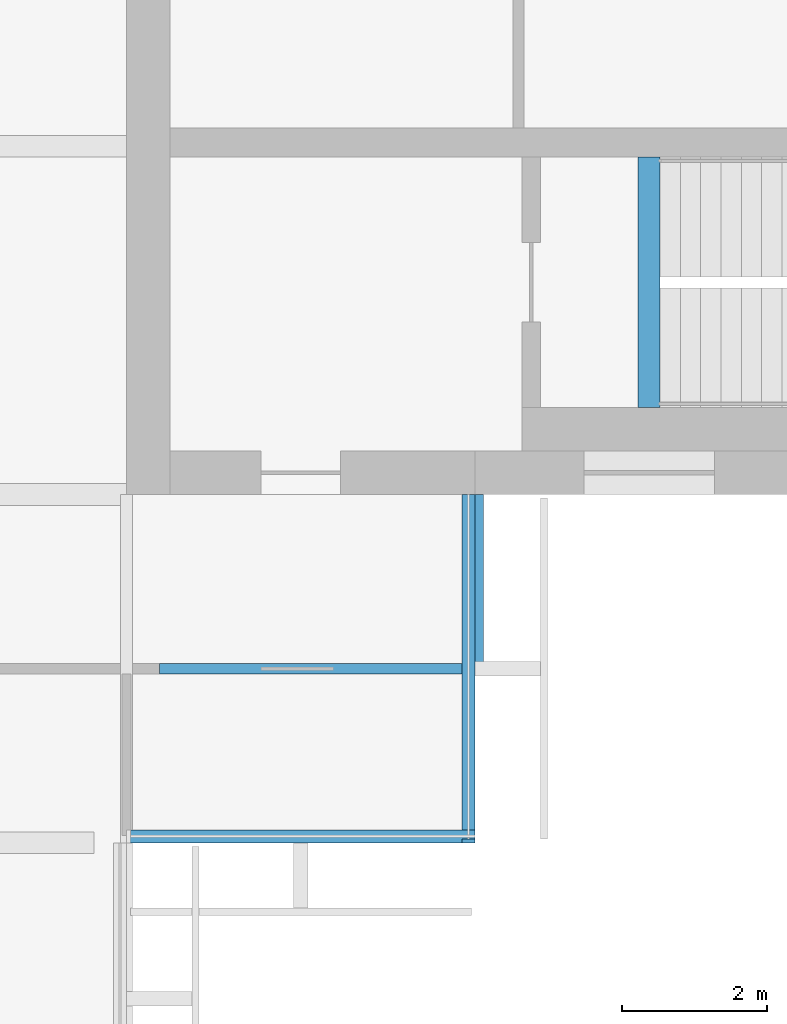
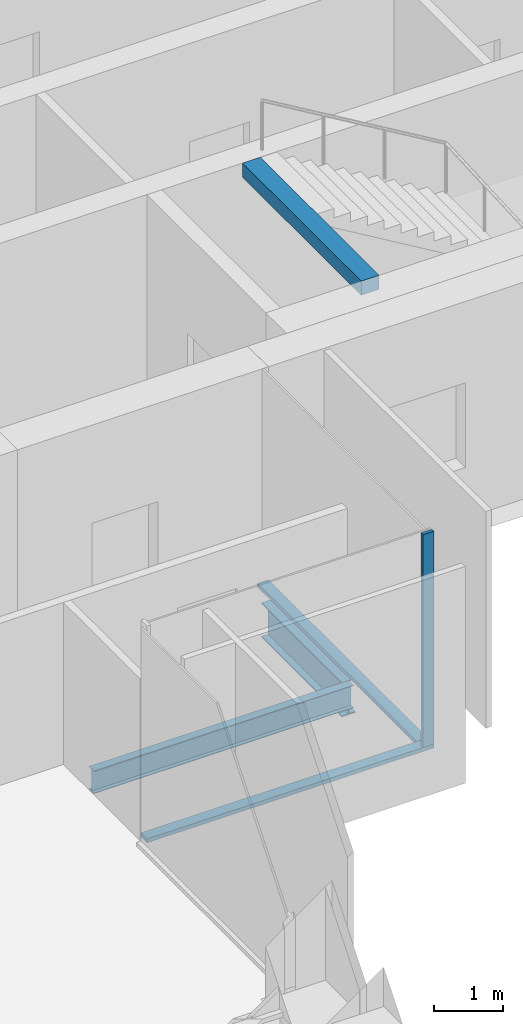
# One storey, part 4 of 12: 3 beams, 3 members, 2 elements without a shape of their own.
"""IFC4 building model written with IfcOpenShell, lengths in metres."""

from ifc_helpers import new_model, si_unit, direction, frame, origin, origin_2d, place, context, subcontext, project, spatial, rectangle, i_section, extrude, material, material_profile, profile_set, type_object, element, aggregate, save


model = new_model("IFC4")

# Units and contexts
model_context = context("Model", 3, precision=1e-05, world=origin(), true_north=direction((0.0, 1.0)))
body_context = subcontext(model_context, "Body", "Model", "MODEL_VIEW")
ifc_project = project(units=[si_unit("LENGTHUNIT", "METRE"), si_unit("AREAUNIT", "SQUARE_METRE"), si_unit("VOLUMEUNIT", "CUBIC_METRE"), si_unit("PLANEANGLEUNIT", "RADIAN"), si_unit("MASSUNIT", "GRAM", prefix="KILO")], contexts=[model_context])

# Site, building, storey
site_placement = place(None, origin())
site = spatial("IfcSite", under=ifc_project, at=site_placement, CompositionType="ELEMENT")
building_placement = place(site_placement, origin())
building = spatial("IfcBuilding", under=site, at=building_placement, Name="Baori Bourse Tower", CompositionType="ELEMENT")
storey_placement = place(building_placement, frame((0.0, 0.0, 282.300048828125)))
storey = spatial("IfcBuildingStorey", under=building, at=storey_placement, Name="L61", CompositionType="ELEMENT", Elevation=282.300048828125)

# Curtain wall, member
ifc_material_1 = material(Name="Pale anodised aluminium", Category="aluminium")
curtain_wall_type = type_object("IfcCurtainWallType", Name="CW2 Curtain wall", PredefinedType="NOTDEFINED", material=ifc_material_1)
curtain_wall_1_placement = place(storey_placement, origin())
curtain_wall_1 = element("IfcCurtainWall", 1, at=curtain_wall_1_placement, inside=storey, type_object=curtain_wall_type, Name="Curtain wall CW2 L61 14", PredefinedType="NOTDEFINED")
ifc_material_2 = material(Name="Pale anodised aluminium", Category="aluminium")
ifc_material_profile_1 = material_profile(ifc_material_2, rectangle(XDim=0.179931640625, YDim=0.054931640625, at=origin_2d()), Name="Mullion 55x180")
ifc_profile_set_1 = profile_set([ifc_material_profile_1], Name="Pale anodised aluminium")
member_type_1 = type_object("IfcMemberType", Name="CW2 Curtain wall mullion", PredefinedType="MULLION", material=ifc_profile_set_1)
member_1_placement = place(storey_placement, frame((43.110107421875, 4.827392578125, 0.070068359375), z_axis=(0.0, 0.0, 1.0), x_axis=(-1.0, 0.0, 0.0)))
member_1 = element("IfcMember", 2, at=member_1_placement, type_object=member_type_1, Name="Curtain wall CW2 mullion", PredefinedType="MULLION", context=body_context, shape_type="SweptSolid", body=[
    extrude(rectangle(XDim=0.179931640625, YDim=0.054931640625, at=origin_2d()), origin(), (0.0, 0.0, 1.0), 3.769775390625),
])

curtain_wall_2_placement = place(storey_placement, origin())
curtain_wall_2 = element("IfcCurtainWall", 3, at=curtain_wall_2_placement, inside=storey, type_object=curtain_wall_type, Name="Curtain wall CW2 L61 13", PredefinedType="NOTDEFINED")
ifc_material_3 = material(Name="Pale anodised aluminium", Category="aluminium")
ifc_material_profile_2 = material_profile(ifc_material_3, rectangle(XDim=0.179931640625, YDim=0.070068359375, at=origin_2d()), Name="Transom 70x180")
ifc_profile_set_2 = profile_set([ifc_material_profile_2], Name="Pale anodised aluminium")
member_type_2 = type_object("IfcMemberType", Name="CW2 Curtain wall transom", PredefinedType="USERDEFINED", material=ifc_profile_set_2)
member_2_placement = place(storey_placement, frame((38.39990234375, 4.889892578125, 0.034912109375), z_axis=(1.0, 0.0, 0.0), x_axis=(0.0, 1.0, 0.0)))
member_2 = element("IfcMember", 4, at=member_2_placement, type_object=member_type_2, Name="Curtain wall CW2 sill rail", ObjectType="TRANSOM", PredefinedType="USERDEFINED", context=body_context, shape_type="SweptSolid", body=[
    extrude(rectangle(XDim=0.179931640625, YDim=0.070068359375, at=origin_2d()), origin(), (0.0, 0.0, 1.0), 4.800048828125),
])
aggregate(curtain_wall_2, [member_2])

# Member
member_3_placement = place(storey_placement, frame((43.110107421875, 4.800048828125, 0.034912109375), z_axis=(0.0, 1.0, 0.0), x_axis=(-1.0, 0.0, 0.0)))
member_3 = element("IfcMember", 5, at=member_3_placement, type_object=member_type_2, Name="Curtain wall CW2 sill rail", ObjectType="TRANSOM", PredefinedType="USERDEFINED", context=body_context, shape_type="SweptSolid", body=[
    extrude(rectangle(XDim=0.179931640625, YDim=0.070068359375, at=origin_2d()), origin(), (0.0, 0.0, 1.0), 4.800048828125),
])

aggregate(curtain_wall_1, [member_3, member_1])

# Beams
ifc_material_4 = material(Name="Steel A992 Gr 50", Category="steel")
ifc_material_profile_3 = material_profile(ifc_material_4, i_section(OverallWidth=0.22900390625, OverallDepth=0.612060546875, WebThickness=0.011962890625, FlangeThickness=0.01953125, at=origin_2d()), Name="W24x84")
ifc_profile_set_3 = profile_set([ifc_material_profile_3], Name="Steel A992 Gr 50")
beam_type_1 = type_object("IfcBeamType", Name="Core bracket W24x84", PredefinedType="BEAM", material=ifc_profile_set_3)
beam_1_placement = place(storey_placement, frame((43.199951171875, 7.270263671875, -0.606201171875), z_axis=(0.0, 1.0, 0.0), x_axis=(-1.0, 0.0, 0.0)))
element("IfcBeam", 6, at=beam_1_placement, inside=storey, type_object=beam_type_1, Name="Core bracket L61", PredefinedType="BEAM", context=body_context, shape_type="SweptSolid", body=[
    extrude(i_section(OverallWidth=0.22900390625, OverallDepth=0.612060546875, WebThickness=0.011962890625, FlangeThickness=0.01953125, at=origin_2d()), origin(), (0.0, 0.0, 1.0), 2.329833984375),
])
ifc_material_5 = material(Name="Concrete f'c 50 MPa", Category="concrete")
ifc_material_profile_4 = material_profile(ifc_material_5, rectangle(XDim=0.300048828125, YDim=0.25, at=origin_2d()), Name="RC 300x250")
ifc_profile_set_4 = profile_set([ifc_material_profile_4], Name="Concrete f'c 50 MPa")
beam_type_2 = type_object("IfcBeamType", Name="Stair nib beam RC 300x250", PredefinedType="BEAM", material=ifc_profile_set_4)
beam_2_placement = place(storey_placement, frame((45.60009765625, 10.800048828125, 3.71484375), z_axis=(0.0, 1.0, 0.0), x_axis=(-1.0, 0.0, 0.0)))
element("IfcBeam", 7, at=beam_2_placement, inside=storey, type_object=beam_type_2, Name="Stair EA nib beam L62", PredefinedType="BEAM", context=body_context, shape_type="SweptSolid", body=[
    extrude(rectangle(XDim=0.300048828125, YDim=0.25, at=origin_2d()), origin(), (0.0, 0.0, 1.0), 3.449951171875),
])
ifc_material_6 = material(Name="Steel A992 Gr 50", Category="steel")
ifc_material_profile_5 = material_profile(ifc_material_6, i_section(OverallWidth=0.140380859375, OverallDepth=0.40380859375, WebThickness=0.007080078125, FlangeThickness=0.01123046875, at=origin_2d()), Name="W16x31")
ifc_profile_set_5 = profile_set([ifc_material_profile_5], Name="Steel A992 Gr 50")
beam_type_3 = type_object("IfcBeamType", Name="Trimmer beam W16x31", PredefinedType="BEAM", material=ifc_profile_set_5)
beam_3_placement = place(storey_placement, frame((38.85009765625, 7.199951171875, -0.501953125), z_axis=(1.0, 0.0, 0.0), x_axis=(0.0, 1.0, 0.0)))
element("IfcBeam", 8, at=beam_3_placement, inside=storey, type_object=beam_type_3, Name="Trimmer beam L61", PredefinedType="BEAM", context=body_context, shape_type="SweptSolid", body=[
    extrude(i_section(OverallWidth=0.140380859375, OverallDepth=0.40380859375, WebThickness=0.007080078125, FlangeThickness=0.01123046875, at=origin_2d()), origin(), (0.0, 0.0, 1.0), 4.349853515625),
])

save(model, "model.ifc")
